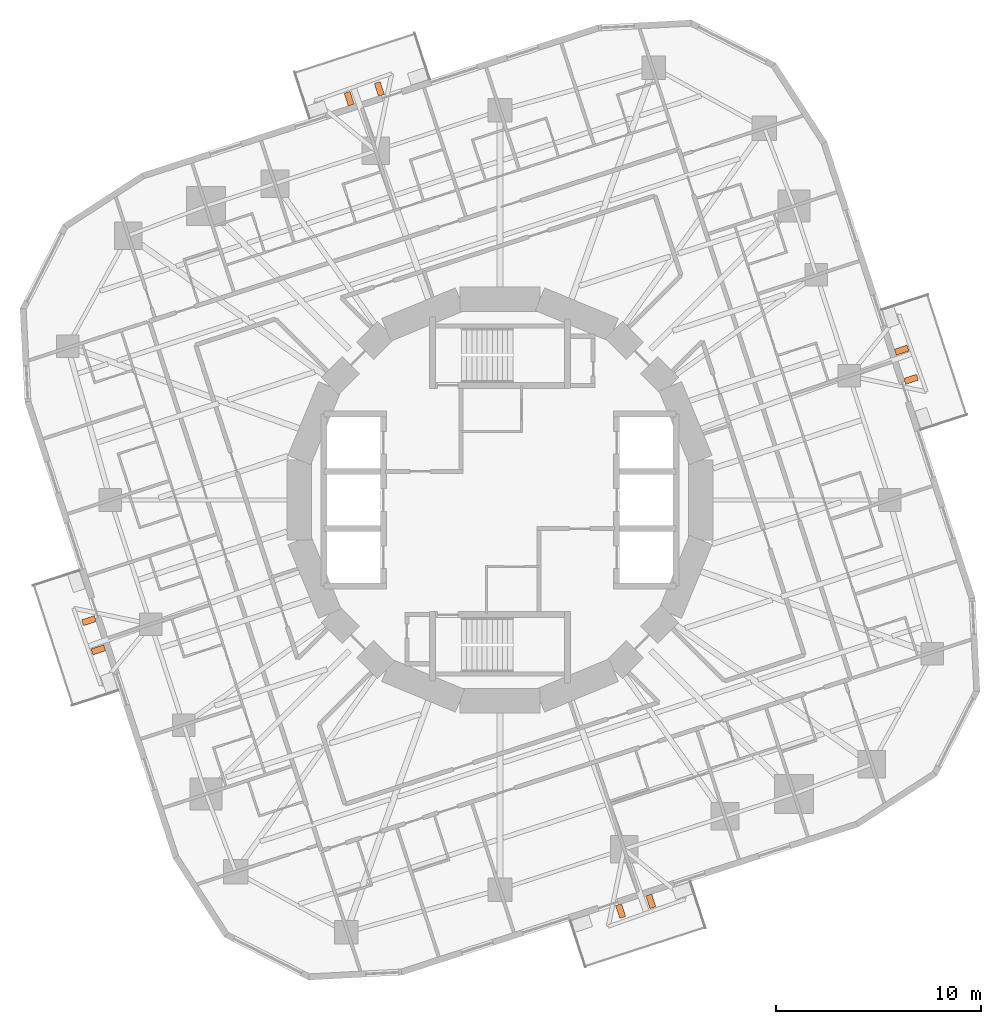
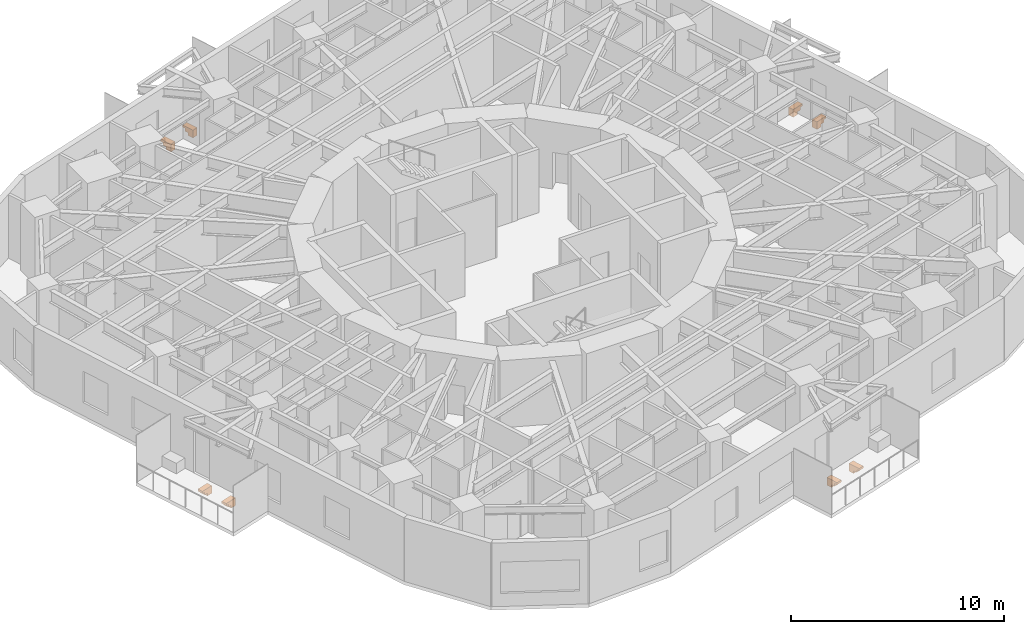
# One storey, part 13 of 13: 8 proxies.
"""IFC4 building model written with IfcOpenShell, lengths in metres."""

from ifc_helpers import new_model, si_unit, direction, frame, origin, place, context, subcontext, project, spatial, polyline, outline, extrude, material, type_object, element, save


model = new_model("IFC4")

# Units and contexts
model_context = context("Model", 3, precision=1e-05, world=origin(), true_north=direction((0.0, 1.0)))
body_context = subcontext(model_context, "Body", "Model", "MODEL_VIEW")
ifc_project = project(units=[si_unit("LENGTHUNIT", "METRE"), si_unit("AREAUNIT", "SQUARE_METRE"), si_unit("VOLUMEUNIT", "CUBIC_METRE"), si_unit("PLANEANGLEUNIT", "RADIAN"), si_unit("MASSUNIT", "GRAM", prefix="KILO")], contexts=[model_context])

# Site, building, storey
site_placement = place(None, origin())
site = spatial("IfcSite", under=ifc_project, at=site_placement, CompositionType="ELEMENT")
building_placement = place(site_placement, origin())
building = spatial("IfcBuilding", under=site, at=building_placement, Name="Nakasero Lantern House", CompositionType="ELEMENT")
storey_placement = place(building_placement, frame((0.0, 0.0, 157.199951171875)))
storey = spatial("IfcBuildingStorey", under=building, at=storey_placement, Name="L38", CompositionType="ELEMENT", Elevation=157.199951171875)

# Proxies
ifc_material = material(Name="Concrete C40/50 precast", Category="concrete")
building_element_proxy_type = type_object("IfcBuildingElementProxyType", Name="Balcony bracket 300", PredefinedType="USERDEFINED", material=ifc_material)
for number, where, z_axis, x_axis, name in (
    (1, (19.777099609375, 5.795166015625, -0.199951171875), (0.0, 0.0, 1.0), (0.951056516, 0.309016994, 0.0), "Balcony bracket L38 0A"),
    (2, (19.313720703125, 7.2216796875, -0.199951171875), (0.0, 0.0, 1.0), (0.951056516, 0.309016994, 0.0), "Balcony bracket L38 0B"),
    (3, (-5.795166015625, 19.777099609375, -0.199951171875), (0.0, 0.0, 1.0), (-0.309016994, 0.951056516, 0.0), "Balcony bracket L38 1A"),
    (4, (-7.269287109375, 19.298095703125, -0.199951171875), (0.0, 0.0, 1.0), (-0.309016994, 0.951056516, 0.0), "Balcony bracket L38 1B"),
    (5, (-19.777099609375, -5.795166015625, -0.199951171875), (0.0, 0.0, 1.0), (-0.951056516, -0.309016994, 0.0), "Balcony bracket L38 2A"),
    (6, (-19.313720703125, -7.2216796875, -0.199951171875), (0.0, 0.0, 1.0), (-0.951056516, -0.309016994, 0.0), "Balcony bracket L38 2B"),
    (7, (5.795166015625, -19.777099609375, -0.199951171875), (0.0, 0.0, 1.0), (0.309016994, -0.951056516, 0.0), "Balcony bracket L38 3A"),
    (8, (7.269287109375, -19.298095703125, -0.199951171875), (0.0, 0.0, 1.0), (0.309016994, -0.951056516, 0.0), "Balcony bracket L38 3B"),
):
    element("IfcBuildingElementProxy", number, at=place(storey_placement, frame(where, z_axis=z_axis, x_axis=x_axis)), inside=storey, type_object=building_element_proxy_type, Name=name, ObjectType="BALCONY BRACKET", PredefinedType="USERDEFINED", context=body_context, shape_type="SweptSolid", body=[
        extrude(outline(polyline([(0.0, 0.0), (0.64990234375, 0.0), (0.64990234375, -0.1201171875), (0.5, -0.1201171875), (0.5, -0.280029296875), (0.300048828125, -0.280029296875), (0.300048828125, -0.43994140625), (0.0, -0.43994140625), (0.0, 0.0)])), frame((0.0, 0.14990234375, 0.0), z_axis=(0.0, -1.0, 0.0), x_axis=(1.0, 0.0, 0.0)), (0.0, 0.0, 1.0), 0.300048828125),
    ])

save(model, "model.ifc")
